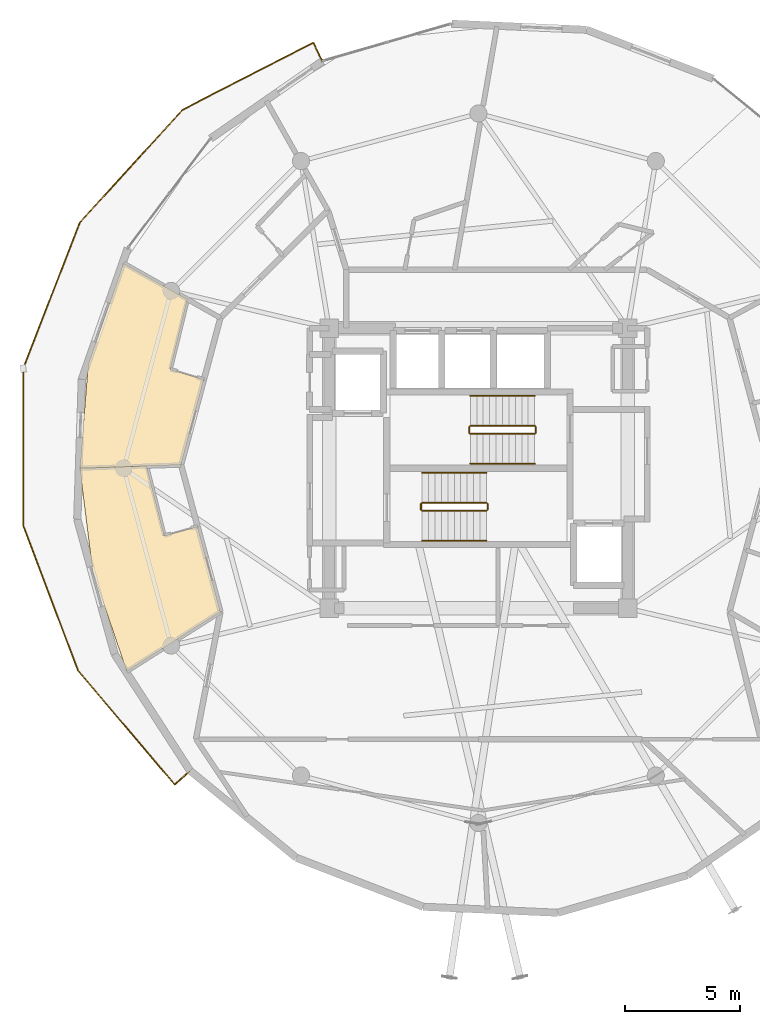
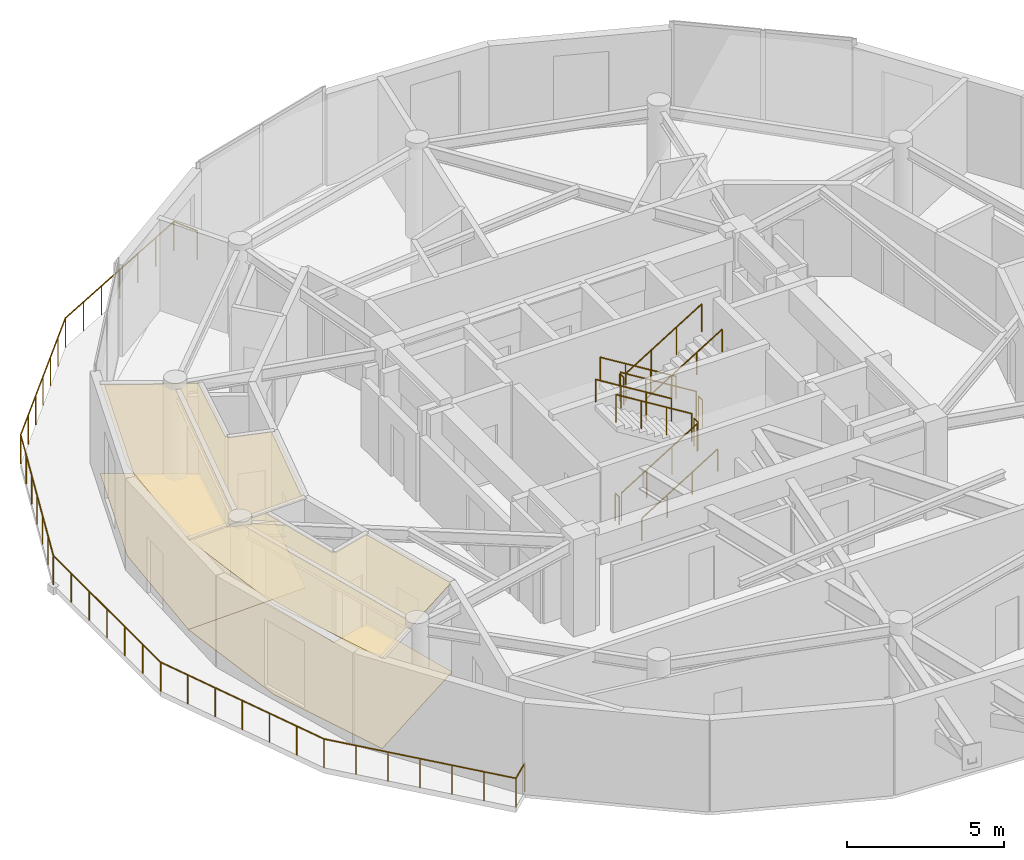
# One storey, part 15 of 16: 13 railings, 4 coverings.
"""IFC4 building model written with IfcOpenShell, lengths in metres."""

from ifc_helpers import new_model, si_unit, direction, frame, origin, origin_2d, place, context, subcontext, project, spatial, polyline, circle, outline, extrude, material, layer, layer_set, type_object, element, save


model = new_model("IFC4")

# Units and contexts
model_context = context("Model", 3, precision=1e-05, world=origin(), true_north=direction((0.0, 1.0)))
body_context = subcontext(model_context, "Body", "Model", "MODEL_VIEW")
ifc_project = project(units=[si_unit("LENGTHUNIT", "METRE"), si_unit("AREAUNIT", "SQUARE_METRE"), si_unit("VOLUMEUNIT", "CUBIC_METRE"), si_unit("PLANEANGLEUNIT", "RADIAN"), si_unit("MASSUNIT", "GRAM", prefix="KILO")], contexts=[model_context])

# Site, building, storey
site_placement = place(None, origin())
site = spatial("IfcSite", under=ifc_project, at=site_placement, CompositionType="ELEMENT")
building_placement = place(site_placement, origin())
building = spatial("IfcBuilding", under=site, at=building_placement, Name="Solvirekh Grand Hotel", CompositionType="ELEMENT")
storey_placement = place(building_placement, frame((0.0, 0.0, 258.199951171875)))
storey = spatial("IfcBuildingStorey", under=building, at=storey_placement, Name="L67", CompositionType="ELEMENT", Elevation=258.199951171875)

# Coverings
ifc_material_1 = material(Name="Acoustic Mineral Ceiling Tile")
ifc_layer_1 = layer(ifc_material_1, 0.02490234375)
ifc_layer_set_1 = layer_set([ifc_layer_1], Name="Acoustic Mineral Ceiling Tile")
covering_type_1 = type_object("IfcCoveringType", Name="Cov_Ceiling_Acoustic", PredefinedType="CEILING", material=ifc_layer_set_1)
covering_1_placement = place(storey_placement, frame((0.0, 0.0, 3.52001953125)))
element("IfcCovering", 1, at=covering_1_placement, inside=storey, type_object=covering_type_1, Name="L67 Deluxe Guestroom 6904 acoustic ceiling", PredefinedType="CEILING", context=body_context, shape_type="SweptSolid", body=[
    extrude(outline(polyline([(-13.4169921875, 4.30908203125), (-12.6708984375, 7.35693359375), (-15.458984375, 8.925048828125), (-16.989013671875, 4.552001953125), (-17.35595703125, 0.0), (-12.949951171875, 0.14990234375), (-11.955078125, 3.862060546875), (-13.4169921875, 4.30908203125)])), origin(), (0.0, 0.0, 1.0), 0.01806640625),
])
covering_2_placement = place(storey_placement, frame((0.0, 0.0, 3.52001953125)))
element("IfcCovering", 2, at=covering_2_placement, inside=storey, type_object=covering_type_1, Name="L67 Deluxe Guestroom 6905 acoustic ceiling", PredefinedType="CEILING", context=body_context, shape_type="SweptSolid", body=[
    extrude(outline(polyline([(-13.680908203125, -2.93798828125), (-14.447998046875, 0.09912109375), (-17.35595703125, 0.0), (-16.7958984375, -4.5), (-15.31298828125, -8.841064453125), (-11.235107421875, -6.25), (-12.22998046875, -2.5380859375), (-13.680908203125, -2.93798828125)])), origin(), (0.0, 0.0, 1.0), 0.01806640625),
])
ifc_material_2 = material(Name="Porcelain Stoneware Flooring", Category="masonry")
ifc_layer_2 = layer(ifc_material_2, 0.030029296875)
ifc_layer_set_2 = layer_set([ifc_layer_2], Name="Porcelain Stoneware Flooring")
covering_type_2 = type_object("IfcCoveringType", Name="Cov_Floor_Stone", PredefinedType="FLOORING", material=ifc_layer_set_2)
covering_3_placement = place(storey_placement, origin())
element("IfcCovering", 3, at=covering_3_placement, inside=storey, type_object=covering_type_2, Name="L67 Deluxe Guestroom 6904 polished granite flooring", PredefinedType="FLOORING", context=body_context, shape_type="SweptSolid", body=[
    extrude(outline(polyline([(-13.4169921875, 4.30908203125), (-12.6708984375, 7.35693359375), (-15.458984375, 8.925048828125), (-16.989013671875, 4.552001953125), (-17.35595703125, 0.0), (-12.949951171875, 0.14990234375), (-11.955078125, 3.862060546875), (-13.4169921875, 4.30908203125)])), origin(), (0.0, 0.0, 1.0), 0.02001953125),
])
covering_4_placement = place(storey_placement, origin())
element("IfcCovering", 4, at=covering_4_placement, inside=storey, type_object=covering_type_2, Name="L67 Deluxe Guestroom 6905 polished granite flooring", PredefinedType="FLOORING", context=body_context, shape_type="SweptSolid", body=[
    extrude(outline(polyline([(-13.680908203125, -2.93798828125), (-14.447998046875, 0.09912109375), (-17.35595703125, 0.0), (-16.7958984375, -4.5), (-15.31298828125, -8.841064453125), (-11.235107421875, -6.25), (-12.22998046875, -2.5380859375), (-13.680908203125, -2.93798828125)])), origin(), (0.0, 0.0, 1.0), 0.02001953125),
])

# Railings
ifc_material_3 = material(Name="Anodized Bronze Aluminium 6063-T6", Category="aluminium")
railing_type_1 = type_object("IfcRailingType", Name="Guard_ExtGlass_1150", PredefinedType="BALUSTRADE", material=ifc_material_3)
railing_1_placement = place(storey_placement, frame((-6.799072265625, 17.72900390625, 0.0)))
element("IfcRailing", 5, at=railing_1_placement, inside=storey, type_object=railing_type_1, Name="L67 balc perimeter glass balustrade", PredefinedType="BALUSTRADE", context=body_context, shape_type="SweptSolid", body=[
    extrude(circle(Radius=0.02392578125, at=origin_2d()), frame((0.0, 0.0, 1.1259765625), z_axis=(-0.429775694272, 0.902935685757, 0.0), x_axis=(-0.902935685757, -0.429775694272, 0.0)), (0.0, 0.0, 1.0), 0.900390625),
    extrude(circle(Radius=0.02392578125, at=origin_2d()), frame((-0.386962890625, 0.81298828125, 1.1259765625), z_axis=(-0.88956450209, -0.456809584643, 0.0), x_axis=(0.456809584643, -0.88956450209, 0.0)), (0.0, 0.0, 1.0), 6.39404296875),
    extrude(circle(Radius=0.02392578125, at=origin_2d()), frame((-6.074951171875, -2.10791015625, 1.1259765625), z_axis=(-0.674075409622, -0.738662536035, 0.0), x_axis=(0.738662536035, -0.674075409622, 0.0)), (0.0, 0.0, 1.0), 6.656494140625),
    extrude(circle(Radius=0.02392578125, at=origin_2d()), frame((-10.56201171875, -7.02490234375, 1.1259765625), z_axis=(-0.361552631961, -0.932351700981, 0.0), x_axis=(0.932351700981, -0.361552631961, 0.0)), (0.0, 0.0, 1.0), 6.8173828125),
    extrude(circle(Radius=0.02392578125, at=origin_2d()), frame((-13.02685546875, -13.381103515625, 1.1259765625), z_axis=(0.00028517448, -0.999999959338, 0.0), x_axis=(0.999999959338, 0.00028517448, 0.0)), (0.0, 0.0, 1.0), 6.848876953125),
    extrude(circle(Radius=0.02392578125, at=origin_2d()), frame((-13.02490234375, -20.22998046875, 1.1259765625), z_axis=(0.353430834169, -0.935460659493, 0.0), x_axis=(0.935460659493, 0.353430834169, 0.0)), (0.0, 0.0, 1.0), 6.745361328125),
    extrude(circle(Radius=0.02392578125, at=origin_2d()), frame((-10.640869140625, -26.5400390625, 1.1259765625), z_axis=(0.647003872071, -0.762486714327, 0.0), x_axis=(0.762486714327, 0.647003872071, 0.0)), (0.0, 0.0, 1.0), 6.511474609375),
    extrude(circle(Radius=0.02392578125, at=origin_2d()), frame((-6.427978515625, -31.5048828125, 1.1259765625), z_axis=(0.746615757716, 0.665255522585, 0.0), x_axis=(-0.665255522585, 0.746615757716, 0.0)), (0.0, 0.0, 1.0), 0.900146484375),
    extrude(circle(Radius=0.02099609375, at=origin_2d()), origin(), (0.0, 0.0, 1.0), 1.101806640625),
    extrude(circle(Radius=0.02099609375, at=origin_2d()), frame((-0.386962890625, 0.81298828125, 0.0)), (0.0, 0.0, 1.0), 1.101806640625),
    extrude(circle(Radius=0.02099609375, at=origin_2d()), frame((-1.3349609375, 0.326171875, 0.0)), (0.0, 0.0, 1.0), 1.101806640625),
    extrude(circle(Radius=0.02099609375, at=origin_2d()), frame((-2.282958984375, -0.16064453125, 0.0)), (0.0, 0.0, 1.0), 1.101806640625),
    extrude(circle(Radius=0.02099609375, at=origin_2d()), frame((-3.23095703125, -0.6474609375, 0.0)), (0.0, 0.0, 1.0), 1.101806640625),
    extrude(circle(Radius=0.02099609375, at=origin_2d()), frame((-4.178955078125, -1.13427734375, 0.0)), (0.0, 0.0, 1.0), 1.101806640625),
    extrude(circle(Radius=0.02099609375, at=origin_2d()), frame((-5.126953125, -1.62109375, 0.0)), (0.0, 0.0, 1.0), 1.101806640625),
    extrude(circle(Radius=0.02099609375, at=origin_2d()), frame((-6.074951171875, -2.10791015625, 0.0)), (0.0, 0.0, 1.0), 1.101806640625),
    extrude(circle(Radius=0.02099609375, at=origin_2d()), frame((-6.82275390625, -2.927490234375, 0.0)), (0.0, 0.0, 1.0), 1.101806640625),
    extrude(circle(Radius=0.02099609375, at=origin_2d()), frame((-7.570556640625, -3.746826171875, 0.0)), (0.0, 0.0, 1.0), 1.101806640625),
    extrude(circle(Radius=0.02099609375, at=origin_2d()), frame((-8.318359375, -4.56640625, 0.0)), (0.0, 0.0, 1.0), 1.101806640625),
    extrude(circle(Radius=0.02099609375, at=origin_2d()), frame((-9.06640625, -5.385986328125, 0.0)), (0.0, 0.0, 1.0), 1.101806640625),
    extrude(circle(Radius=0.02099609375, at=origin_2d()), frame((-9.814208984375, -6.205322265625, 0.0)), (0.0, 0.0, 1.0), 1.101806640625),
    extrude(circle(Radius=0.02099609375, at=origin_2d()), frame((-10.56201171875, -7.02490234375, 0.0)), (0.0, 0.0, 1.0), 1.101806640625),
    extrude(circle(Radius=0.02099609375, at=origin_2d()), frame((-10.972900390625, -8.084228515625, 0.0)), (0.0, 0.0, 1.0), 1.101806640625),
    extrude(circle(Radius=0.02099609375, at=origin_2d()), frame((-11.383544921875, -9.1435546875, 0.0)), (0.0, 0.0, 1.0), 1.101806640625),
    extrude(circle(Radius=0.02099609375, at=origin_2d()), frame((-11.79443359375, -10.203125, 0.0)), (0.0, 0.0, 1.0), 1.101806640625),
    extrude(circle(Radius=0.02099609375, at=origin_2d()), frame((-12.205322265625, -11.262451171875, 0.0)), (0.0, 0.0, 1.0), 1.101806640625),
    extrude(circle(Radius=0.02099609375, at=origin_2d()), frame((-12.615966796875, -12.32177734375, 0.0)), (0.0, 0.0, 1.0), 1.101806640625),
    extrude(circle(Radius=0.02099609375, at=origin_2d()), frame((-13.02685546875, -13.381103515625, 0.0)), (0.0, 0.0, 1.0), 1.101806640625),
    extrude(circle(Radius=0.02099609375, at=origin_2d()), frame((-13.026611328125, -14.5224609375, 0.0)), (0.0, 0.0, 1.0), 1.101806640625),
    extrude(circle(Radius=0.02099609375, at=origin_2d()), frame((-13.026123046875, -15.6640625, 0.0)), (0.0, 0.0, 1.0), 1.101806640625),
    extrude(circle(Radius=0.02099609375, at=origin_2d()), frame((-13.02587890625, -16.8056640625, 0.0)), (0.0, 0.0, 1.0), 1.101806640625),
    extrude(circle(Radius=0.02099609375, at=origin_2d()), frame((-13.025634765625, -17.947021484375, 0.0)), (0.0, 0.0, 1.0), 1.101806640625),
    extrude(circle(Radius=0.02099609375, at=origin_2d()), frame((-13.025146484375, -19.08837890625, 0.0)), (0.0, 0.0, 1.0), 1.101806640625),
    extrude(circle(Radius=0.02099609375, at=origin_2d()), frame((-13.02490234375, -20.22998046875, 0.0)), (0.0, 0.0, 1.0), 1.101806640625),
    extrude(circle(Radius=0.02099609375, at=origin_2d()), frame((-12.62744140625, -21.28173828125, 0.0)), (0.0, 0.0, 1.0), 1.101806640625),
    extrude(circle(Radius=0.02099609375, at=origin_2d()), frame((-12.230224609375, -22.333251953125, 0.0)), (0.0, 0.0, 1.0), 1.101806640625),
    extrude(circle(Radius=0.02099609375, at=origin_2d()), frame((-11.8330078125, -23.385009765625, 0.0)), (0.0, 0.0, 1.0), 1.101806640625),
    extrude(circle(Radius=0.02099609375, at=origin_2d()), frame((-11.435546875, -24.436767578125, 0.0)), (0.0, 0.0, 1.0), 1.101806640625),
    extrude(circle(Radius=0.02099609375, at=origin_2d()), frame((-11.0380859375, -25.48828125, 0.0)), (0.0, 0.0, 1.0), 1.101806640625),
    extrude(circle(Radius=0.02099609375, at=origin_2d()), frame((-10.640869140625, -26.5400390625, 0.0)), (0.0, 0.0, 1.0), 1.101806640625),
    extrude(circle(Radius=0.02099609375, at=origin_2d()), frame((-9.938720703125, -27.367431640625, 0.0)), (0.0, 0.0, 1.0), 1.101806640625),
    extrude(circle(Radius=0.02099609375, at=origin_2d()), frame((-9.236572265625, -28.195068359375, 0.0)), (0.0, 0.0, 1.0), 1.101806640625),
    extrude(circle(Radius=0.02099609375, at=origin_2d()), frame((-8.534423828125, -29.0224609375, 0.0)), (0.0, 0.0, 1.0), 1.101806640625),
    extrude(circle(Radius=0.02099609375, at=origin_2d()), frame((-7.832275390625, -29.849853515625, 0.0)), (0.0, 0.0, 1.0), 1.101806640625),
    extrude(circle(Radius=0.02099609375, at=origin_2d()), frame((-7.130126953125, -30.677490234375, 0.0)), (0.0, 0.0, 1.0), 1.101806640625),
    extrude(circle(Radius=0.02099609375, at=origin_2d()), frame((-6.427978515625, -31.5048828125, 0.0)), (0.0, 0.0, 1.0), 1.101806640625),
    extrude(circle(Radius=0.02099609375, at=origin_2d()), frame((-5.755859375, -30.906005859375, 0.0)), (0.0, 0.0, 1.0), 1.101806640625),
])
ifc_material_4 = material(Name="Steel S355", Category="steel")
railing_type_2 = type_object("IfcRailingType", Name="Guard_Stair_1100", PredefinedType="GUARDRAIL", material=ifc_material_4)
railing_2_placement = place(storey_placement, frame((-2.449951171875, -1.85009765625, 0.1728515625)))
element("IfcRailing", 6, at=railing_2_placement, inside=storey, type_object=railing_type_2, Name="L67 ST-1 stair guard 1", PredefinedType="GUARDRAIL", context=body_context, shape_type="SweptSolid", body=[
    extrude(circle(Radius=0.02392578125, at=origin_2d()), frame((0.0, 0.0, 1.076171875), z_axis=(0.851089632645, 0.0, 0.525020415988), x_axis=(0.0, 1.0, 0.0)), (0.0, 0.0, 1.0), 3.2900390625),
    extrude(circle(Radius=0.02099609375, at=origin_2d()), origin(), (0.0, 0.0, 1.0), 1.052001953125),
    extrude(circle(Radius=0.02099609375, at=origin_2d()), frame((0.933349609375, 0.0, 0.57568359375)), (0.0, 0.0, 1.0), 1.052001953125),
    extrude(circle(Radius=0.02099609375, at=origin_2d()), frame((1.86669921875, 0.0, 1.151611328125)), (0.0, 0.0, 1.0), 1.052001953125),
    extrude(circle(Radius=0.02099609375, at=origin_2d()), frame((2.800048828125, 0.0, 1.727294921875)), (0.0, 0.0, 1.0), 1.052001953125),
])
railing_3_placement = place(storey_placement, frame((0.39990234375, -1.800048828125, 1.900146484375)))
element("IfcRailing", 7, at=railing_3_placement, inside=storey, type_object=railing_type_2, Name="L67 ST-1 stair guard 2", PredefinedType="GUARDRAIL", context=body_context, shape_type="SweptSolid", body=[
    extrude(circle(Radius=0.02392578125, at=origin_2d()), frame((0.0, 0.0, 1.076171875), z_axis=(0.0, 1.0, 0.0), x_axis=(-1.0, 0.0, 0.0)), (0.0, 0.0, 1.0), 0.25),
    extrude(circle(Radius=0.02099609375, at=origin_2d()), origin(), (0.0, 0.0, 1.0), 1.052001953125),
    extrude(circle(Radius=0.02099609375, at=origin_2d()), frame((0.0, 0.25, 0.0)), (0.0, 0.0, 1.0), 1.052001953125),
])
railing_4_placement = place(storey_placement, frame((0.35009765625, -1.5, 2.07275390625)))
element("IfcRailing", 8, at=railing_4_placement, inside=storey, type_object=railing_type_2, Name="L67 ST-1 stair guard 3", PredefinedType="GUARDRAIL", context=body_context, shape_type="SweptSolid", body=[
    extrude(circle(Radius=0.02392578125, at=origin_2d()), frame((0.0, 0.0, 1.076171875), z_axis=(-0.851089632645, 0.0, 0.525020415988), x_axis=(0.0, -1.0, 0.0)), (0.0, 0.0, 1.0), 3.2900390625),
    extrude(circle(Radius=0.02099609375, at=origin_2d()), origin(), (0.0, 0.0, 1.0), 1.052001953125),
    extrude(circle(Radius=0.02099609375, at=origin_2d()), frame((-0.933349609375, 0.0, 0.57568359375)), (0.0, 0.0, 1.0), 1.052001953125),
    extrude(circle(Radius=0.02099609375, at=origin_2d()), frame((-1.86669921875, 0.0, 1.151611328125)), (0.0, 0.0, 1.0), 1.052001953125),
    extrude(circle(Radius=0.02099609375, at=origin_2d()), frame((-2.800048828125, 0.0, 1.727294921875)), (0.0, 0.0, 1.0), 1.052001953125),
])
railing_5_placement = place(storey_placement, frame((-2.5, -1.800048828125, 0.0)))
element("IfcRailing", 9, at=railing_5_placement, inside=storey, type_object=railing_type_2, Name="L67 ST-1 stair guard 4", PredefinedType="GUARDRAIL", context=body_context, shape_type="SweptSolid", body=[
    extrude(circle(Radius=0.02392578125, at=origin_2d()), frame((0.0, 0.0, 1.076171875), z_axis=(0.0, 1.0, 0.0), x_axis=(-1.0, 0.0, 0.0)), (0.0, 0.0, 1.0), 0.25),
    extrude(circle(Radius=0.02099609375, at=origin_2d()), origin(), (0.0, 0.0, 1.0), 1.052001953125),
    extrude(circle(Radius=0.02099609375, at=origin_2d()), frame((0.0, 0.25, 0.0)), (0.0, 0.0, 1.0), 1.052001953125),
])
railing_6_placement = place(storey_placement, frame((2.449951171875, 1.85009765625, 0.1728515625)))
element("IfcRailing", 10, at=railing_6_placement, inside=storey, type_object=railing_type_2, Name="L67 ST-2 stair guard 1", PredefinedType="GUARDRAIL", context=body_context, shape_type="SweptSolid", body=[
    extrude(circle(Radius=0.02392578125, at=origin_2d()), frame((0.0, 0.0, 1.076171875), z_axis=(-0.851089632645, 0.0, 0.525020415988), x_axis=(0.0, -1.0, 0.0)), (0.0, 0.0, 1.0), 3.2900390625),
    extrude(circle(Radius=0.02099609375, at=origin_2d()), origin(), (0.0, 0.0, 1.0), 1.052001953125),
    extrude(circle(Radius=0.02099609375, at=origin_2d()), frame((-0.933349609375, 0.0, 0.57568359375)), (0.0, 0.0, 1.0), 1.052001953125),
    extrude(circle(Radius=0.02099609375, at=origin_2d()), frame((-1.86669921875, 0.0, 1.151611328125)), (0.0, 0.0, 1.0), 1.052001953125),
    extrude(circle(Radius=0.02099609375, at=origin_2d()), frame((-2.800048828125, 0.0, 1.727294921875)), (0.0, 0.0, 1.0), 1.052001953125),
])
railing_7_placement = place(storey_placement, frame((-0.39990234375, 1.800048828125, 1.900146484375)))
element("IfcRailing", 11, at=railing_7_placement, inside=storey, type_object=railing_type_2, Name="L67 ST-2 stair guard 2", PredefinedType="GUARDRAIL", context=body_context, shape_type="SweptSolid", body=[
    extrude(circle(Radius=0.02392578125, at=origin_2d()), frame((0.0, 0.0, 1.076171875), z_axis=(0.0, -1.0, 0.0), x_axis=(1.0, 0.0, 0.0)), (0.0, 0.0, 1.0), 0.25),
    extrude(circle(Radius=0.02099609375, at=origin_2d()), origin(), (0.0, 0.0, 1.0), 1.052001953125),
    extrude(circle(Radius=0.02099609375, at=origin_2d()), frame((0.0, -0.25, 0.0)), (0.0, 0.0, 1.0), 1.052001953125),
])
railing_8_placement = place(storey_placement, frame((-0.35009765625, 1.5, 2.07275390625)))
element("IfcRailing", 12, at=railing_8_placement, inside=storey, type_object=railing_type_2, Name="L67 ST-2 stair guard 3", PredefinedType="GUARDRAIL", context=body_context, shape_type="SweptSolid", body=[
    extrude(circle(Radius=0.02392578125, at=origin_2d()), frame((0.0, 0.0, 1.076171875), z_axis=(0.851089632645, 0.0, 0.525020415988), x_axis=(0.0, 1.0, 0.0)), (0.0, 0.0, 1.0), 3.2900390625),
    extrude(circle(Radius=0.02099609375, at=origin_2d()), origin(), (0.0, 0.0, 1.0), 1.052001953125),
    extrude(circle(Radius=0.02099609375, at=origin_2d()), frame((0.933349609375, 0.0, 0.57568359375)), (0.0, 0.0, 1.0), 1.052001953125),
    extrude(circle(Radius=0.02099609375, at=origin_2d()), frame((1.86669921875, 0.0, 1.151611328125)), (0.0, 0.0, 1.0), 1.052001953125),
    extrude(circle(Radius=0.02099609375, at=origin_2d()), frame((2.800048828125, 0.0, 1.727294921875)), (0.0, 0.0, 1.0), 1.052001953125),
])
railing_9_placement = place(storey_placement, frame((2.5, 1.800048828125, 0.0)))
element("IfcRailing", 13, at=railing_9_placement, inside=storey, type_object=railing_type_2, Name="L67 ST-2 stair guard 4", PredefinedType="GUARDRAIL", context=body_context, shape_type="SweptSolid", body=[
    extrude(circle(Radius=0.02392578125, at=origin_2d()), frame((0.0, 0.0, 1.076171875), z_axis=(0.0, -1.0, 0.0), x_axis=(1.0, 0.0, 0.0)), (0.0, 0.0, 1.0), 0.25),
    extrude(circle(Radius=0.02099609375, at=origin_2d()), origin(), (0.0, 0.0, 1.0), 1.052001953125),
    extrude(circle(Radius=0.02099609375, at=origin_2d()), frame((0.0, -0.25, 0.0)), (0.0, 0.0, 1.0), 1.052001953125),
])
railing_type_3 = type_object("IfcRailingType", Name="Handrail_Wall_900", PredefinedType="HANDRAIL", material=ifc_material_3)
railing_10_placement = place(storey_placement, frame((-2.449951171875, -3.14990234375, 0.1728515625)))
element("IfcRailing", 14, at=railing_10_placement, inside=storey, type_object=railing_type_3, Name="L67 ST-1 stair handrail 1", PredefinedType="HANDRAIL", context=body_context, shape_type="SweptSolid", body=[
    extrude(circle(Radius=0.02392578125, at=origin_2d()), frame((0.0, 0.0, 0.8759765625), z_axis=(0.851089632645, 0.0, 0.525020415988), x_axis=(0.0, 1.0, 0.0)), (0.0, 0.0, 1.0), 3.2900390625),
    extrude(circle(Radius=0.02099609375, at=origin_2d()), origin(), (0.0, 0.0, 1.0), 0.851806640625),
    extrude(circle(Radius=0.02099609375, at=origin_2d()), frame((0.933349609375, 0.0, 0.57568359375)), (0.0, 0.0, 1.0), 0.851806640625),
    extrude(circle(Radius=0.02099609375, at=origin_2d()), frame((1.86669921875, 0.0, 1.151611328125)), (0.0, 0.0, 1.0), 0.851806640625),
    extrude(circle(Radius=0.02099609375, at=origin_2d()), frame((2.800048828125, 0.0, 1.727294921875)), (0.0, 0.0, 1.0), 0.851806640625),
])
for number, where, name in (
    (15, (0.35009765625, -0.199951171875, 2.07275390625), "L67 ST-1 stair handrail 2"),
    (16, (2.449951171875, 3.14990234375, 0.1728515625), "L67 ST-2 stair handrail 1"),
):
    element("IfcRailing", number, at=place(storey_placement, frame(where)), inside=storey, type_object=railing_type_3, Name=name, PredefinedType="HANDRAIL", context=body_context, shape_type="SweptSolid", body=[
        extrude(circle(Radius=0.02392578125, at=origin_2d()), frame((0.0, 0.0, 0.8759765625), z_axis=(-0.851089632645, 0.0, 0.525020415988), x_axis=(0.0, -1.0, 0.0)), (0.0, 0.0, 1.0), 3.2900390625),
        extrude(circle(Radius=0.02099609375, at=origin_2d()), origin(), (0.0, 0.0, 1.0), 0.851806640625),
        extrude(circle(Radius=0.02099609375, at=origin_2d()), frame((-0.933349609375, 0.0, 0.57568359375)), (0.0, 0.0, 1.0), 0.851806640625),
        extrude(circle(Radius=0.02099609375, at=origin_2d()), frame((-1.86669921875, 0.0, 1.151611328125)), (0.0, 0.0, 1.0), 0.851806640625),
        extrude(circle(Radius=0.02099609375, at=origin_2d()), frame((-2.800048828125, 0.0, 1.727294921875)), (0.0, 0.0, 1.0), 0.851806640625),
    ])
railing_11_placement = place(storey_placement, frame((-0.35009765625, 0.199951171875, 2.07275390625)))
element("IfcRailing", 17, at=railing_11_placement, inside=storey, type_object=railing_type_3, Name="L67 ST-2 stair handrail 2", PredefinedType="HANDRAIL", context=body_context, shape_type="SweptSolid", body=[
    extrude(circle(Radius=0.02392578125, at=origin_2d()), frame((0.0, 0.0, 0.8759765625), z_axis=(0.851089632645, 0.0, 0.525020415988), x_axis=(0.0, 1.0, 0.0)), (0.0, 0.0, 1.0), 3.2900390625),
    extrude(circle(Radius=0.02099609375, at=origin_2d()), origin(), (0.0, 0.0, 1.0), 0.851806640625),
    extrude(circle(Radius=0.02099609375, at=origin_2d()), frame((0.933349609375, 0.0, 0.57568359375)), (0.0, 0.0, 1.0), 0.851806640625),
    extrude(circle(Radius=0.02099609375, at=origin_2d()), frame((1.86669921875, 0.0, 1.151611328125)), (0.0, 0.0, 1.0), 0.851806640625),
    extrude(circle(Radius=0.02099609375, at=origin_2d()), frame((2.800048828125, 0.0, 1.727294921875)), (0.0, 0.0, 1.0), 0.851806640625),
])

save(model, "model.ifc")
